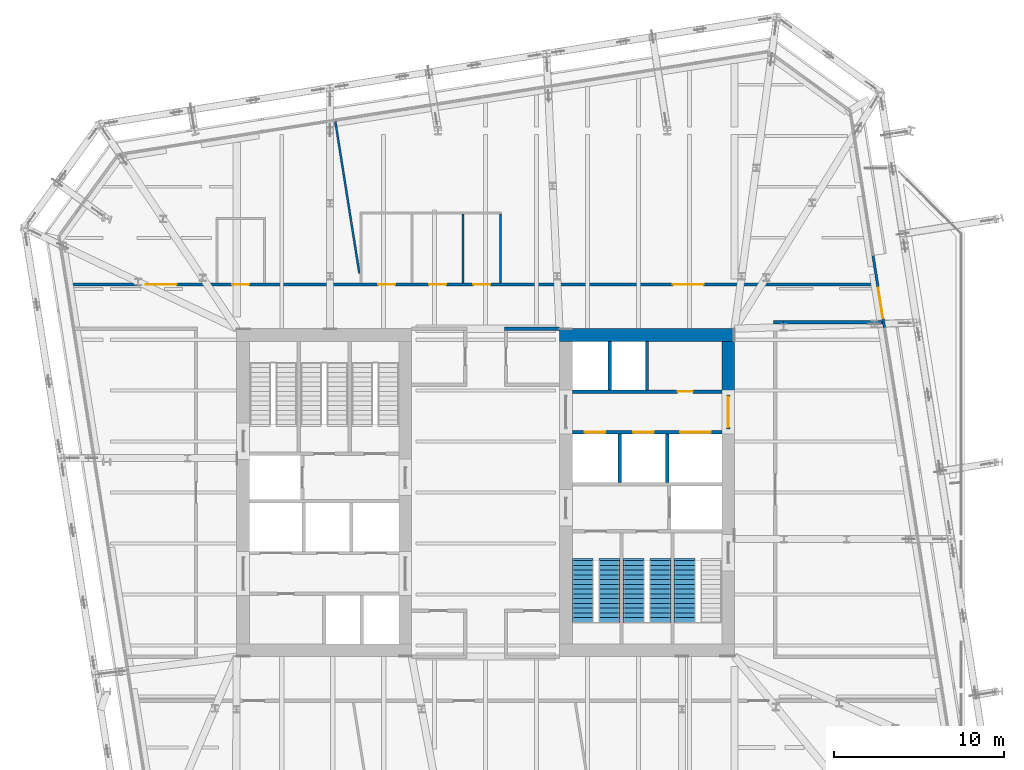
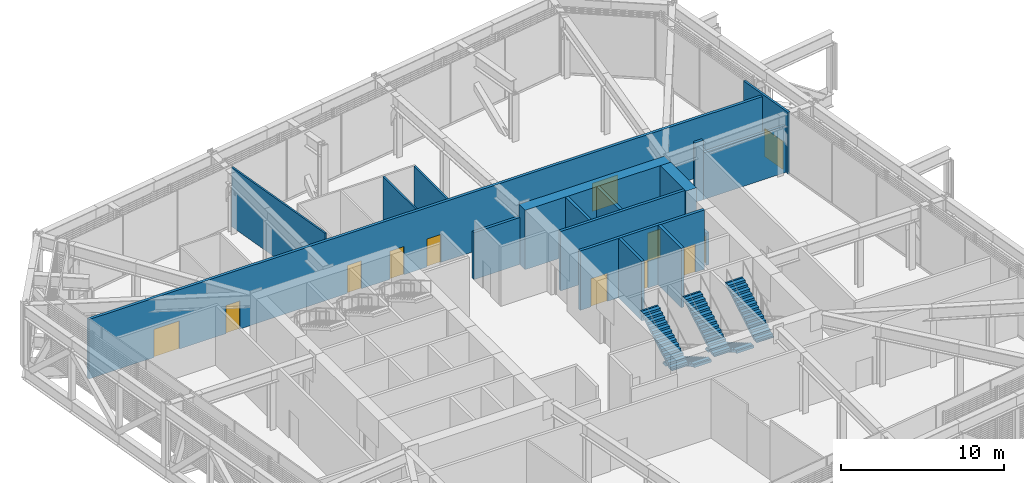
# One storey, part 21 of 32: 17 walls, 12 doors, 5 stair flights, 12 openings, 3 elements without a shape of their own.
"""IFC4 building model written with IfcOpenShell, lengths in metres."""

from ifc_helpers import new_model, si_unit, direction, frame, frame_2d, origin, place, context, subcontext, project, spatial, polyline, rectangle, outline, extrude, material, layer, layer_set, type_object, element, fill, aggregate, save


model = new_model("IFC4")

# Units and contexts
model_context = context("Model", 3, precision=1e-05, world=origin(), true_north=direction((0.0, 1.0)))
body_context = subcontext(model_context, "Body", "Model", "MODEL_VIEW")
ifc_project = project(units=[si_unit("LENGTHUNIT", "METRE"), si_unit("AREAUNIT", "SQUARE_METRE"), si_unit("VOLUMEUNIT", "CUBIC_METRE"), si_unit("PLANEANGLEUNIT", "RADIAN"), si_unit("MASSUNIT", "GRAM", prefix="KILO")], contexts=[model_context])

# Site, building, storey
site_placement = place(None, origin())
site = spatial("IfcSite", under=ifc_project, at=site_placement, CompositionType="ELEMENT")
building_placement = place(site_placement, origin())
building = spatial("IfcBuilding", under=site, at=building_placement, Name="Millrace Tower", CompositionType="ELEMENT")
storey_placement = place(building_placement, frame((0.0, 0.0, 124.89990234375)))
storey = spatial("IfcBuildingStorey", under=building, at=storey_placement, Name="L27", CompositionType="ELEMENT", Elevation=124.89990234375)

# Walls
ifc_material_1 = material(Name="Concrete C70", Category="concrete")
ifc_layer_1 = layer(ifc_material_1, 0.75)
ifc_layer_set_1 = layer_set([ifc_layer_1], Name="Concrete C70")
wall_type_1 = type_object("IfcWallType", Name="Core wall 750 Concrete C70", PredefinedType="SHEAR", material=ifc_layer_set_1)
wall_1_placement = place(storey_placement, frame((14.64990234375, 9.27490234375, 0.0), z_axis=(0.0, 0.0, 1.0), x_axis=(-1.0, 0.0, 0.0)))
element("IfcWall", 1, at=wall_1_placement, inside=storey, type_object=wall_type_1, Name="Core wall E L27", PredefinedType="SHEAR", context=body_context, shape_type="SweptSolid", body=[
    extrude(rectangle(XDim=10.2998046875, YDim=0.75, at=frame_2d((5.14990234375, 0.0))), origin(), (0.0, 0.0, 1.0), 4.440185546875),
])
wall_2_placement = place(storey_placement, frame((14.27490234375, 8.89990234375, 0.0), z_axis=(0.0, 0.0, 1.0), x_axis=(0.0, -1.0, 0.0)))
element("IfcWall", 2, at=wall_2_placement, inside=storey, type_object=wall_type_1, Name="Core wall E L27", PredefinedType="SHEAR", context=body_context, shape_type="SweptSolid", body=[
    extrude(rectangle(XDim=3.14990234375, YDim=0.75, at=frame_2d((1.574951171875, 0.0))), origin(), (0.0, 0.0, 1.0), 4.440185546875),
])
ifc_material_2 = material(Name="Masonry partition, fire-rated", Category="masonry")
ifc_layer_2 = layer(ifc_material_2, 0.199951171875)
ifc_layer_set_2 = layer_set([ifc_layer_2], Name="Masonry partition, fire-rated")
wall_type_2 = type_object("IfcWallType", Name="Corridor wall 200", PredefinedType="PARTITIONING", material=ifc_layer_set_2)
wall_3_placement = place(storey_placement, frame((1.10009765625, 9.64990234375, 0.0), z_axis=(0.0, 0.0, 1.0), x_axis=(1.0, 0.0, 0.0)))
element("IfcWall", 3, at=wall_3_placement, inside=storey, type_object=wall_type_2, Name="Corridor wall L27", PredefinedType="PARTITIONING", context=body_context, shape_type="SweptSolid", body=[
    extrude(rectangle(XDim=3.25, YDim=0.199951171875, at=frame_2d((1.625, 0.0))), origin(), (0.0, 0.0, 1.0), 3.512939453125),
])
wall_4_placement = place(storey_placement, frame((16.949951171875, 10.02001953125, 0.0), z_axis=(0.0, 0.0, 1.0), x_axis=(1.0, 0.0, 0.0)))
element("IfcWall", 4, at=wall_4_placement, inside=storey, type_object=wall_type_2, Name="Corridor wall L27", PredefinedType="PARTITIONING", context=body_context, shape_type="SweptSolid", body=[
    extrude(rectangle(XDim=0.591552734375, YDim=0.199951171875, at=frame_2d((0.2958984375, 0.0))), origin(), (0.0, 0.0, 1.0), 4.440185546875),
])
wall_5_placement = place(storey_placement, frame((17.54150390625, 10.02001953125, 0.0), z_axis=(0.0, 0.0, 1.0), x_axis=(1.0, 0.0, 0.0)))
element("IfcWall", 5, at=wall_5_placement, inside=storey, type_object=wall_type_2, Name="Corridor wall L27", PredefinedType="PARTITIONING", context=body_context, shape_type="SweptSolid", body=[
    extrude(rectangle(XDim=5.83935546875, YDim=0.199951171875, at=frame_2d((2.919677734375, 0.0))), origin(), (0.0, 0.0, 1.0), 3.482421875),
])

# Wall, openings, doors
wall_6_placement = place(storey_placement, frame((-24.618896484375, 12.25, 0.0), z_axis=(0.0, 0.0, 1.0), x_axis=(1.0, 0.0, 0.0)))
wall_6 = element("IfcWall", 6, at=wall_6_placement, inside=storey, type_object=wall_type_2, Name="Corridor wall L27", PredefinedType="PARTITIONING", context=body_context, shape_type="SweptSolid", body=[
    extrude(rectangle(XDim=47.646484375, YDim=0.199951171875, at=frame_2d((23.8232421875, 0.0))), origin(), (0.0, 0.0, 1.0), 4.440185546875),
])
opening_1_placement = place(wall_6_placement, frame((4.6259765625, 0.0, 0.0)))
opening_1 = element("IfcOpeningElement", 7, at=opening_1_placement, cuts=wall_6, Name="Opening 27-P005", PredefinedType="OPENING", context=body_context, shape_type="SweptSolid", body=[
    extrude(rectangle(XDim=1.800048828125, YDim=2.10009765625, at=frame_2d((0.89990234375, 1.050048828125))), frame((0.0, 0.10986328125, 0.0), z_axis=(0.0, -1.0, 0.0), x_axis=(1.0, 0.0, 0.0)), (0.0, 0.0, 1.0), 0.219970703125),
])
opening_2_placement = place(wall_6_placement, frame((9.700927734375, 0.0, 0.0)))
opening_2 = element("IfcOpeningElement", 8, at=opening_2_placement, cuts=wall_6, Name="Opening 27-P006", PredefinedType="OPENING", context=body_context, shape_type="SweptSolid", body=[
    extrude(rectangle(XDim=1.0, YDim=2.10009765625, at=frame_2d((0.5, 1.050048828125))), frame((0.0, 0.10986328125, 0.0), z_axis=(0.0, -1.0, 0.0), x_axis=(1.0, 0.0, 0.0)), (0.0, 0.0, 1.0), 0.219970703125),
])
opening_3_placement = place(wall_6_placement, frame((35.64453125, 0.0, 0.0)))
opening_3 = element("IfcOpeningElement", 9, at=opening_3_placement, cuts=wall_6, Name="Opening 27-P007", PredefinedType="OPENING", context=body_context, shape_type="SweptSolid", body=[
    extrude(rectangle(XDim=1.800048828125, YDim=2.10009765625, at=frame_2d((0.89990234375, 1.050048828125))), frame((0.0, 0.10986328125, 0.0), z_axis=(0.0, -1.0, 0.0), x_axis=(1.0, 0.0, 0.0)), (0.0, 0.0, 1.0), 0.219970703125),
])
opening_4_placement = place(wall_6_placement, frame((18.29296875, 0.0, 0.0)))
opening_4 = element("IfcOpeningElement", 10, at=opening_4_placement, cuts=wall_6, Name="Opening 27-P013", PredefinedType="OPENING", context=body_context, shape_type="SweptSolid", body=[
    extrude(rectangle(XDim=1.0, YDim=2.10009765625, at=frame_2d((0.5, 1.050048828125))), frame((0.0, 0.10986328125, 0.0), z_axis=(0.0, -1.0, 0.0), x_axis=(1.0, 0.0, 0.0)), (0.0, 0.0, 1.0), 0.219970703125),
])
opening_5_placement = place(wall_6_placement, frame((21.29296875, 0.0, 0.0)))
opening_5 = element("IfcOpeningElement", 11, at=opening_5_placement, cuts=wall_6, Name="Opening 27-P014", PredefinedType="OPENING", context=body_context, shape_type="SweptSolid", body=[
    extrude(rectangle(XDim=1.0, YDim=2.10009765625, at=frame_2d((0.5, 1.050048828125))), frame((0.0, 0.10986328125, 0.0), z_axis=(0.0, -1.0, 0.0), x_axis=(1.0, 0.0, 0.0)), (0.0, 0.0, 1.0), 0.219970703125),
])
opening_6_placement = place(wall_6_placement, frame((23.89306640625, 0.0, 0.0)))
opening_6 = element("IfcOpeningElement", 12, at=opening_6_placement, cuts=wall_6, Name="Opening 27-P015", PredefinedType="OPENING", context=body_context, shape_type="SweptSolid", body=[
    extrude(rectangle(XDim=1.0, YDim=2.10009765625, at=frame_2d((0.5, 1.050048828125))), frame((0.0, 0.10986328125, 0.0), z_axis=(0.0, -1.0, 0.0), x_axis=(1.0, 0.0, 0.0)), (0.0, 0.0, 1.0), 0.219970703125),
])
ifc_material_3 = material(Name="Steel door set, fire-rated", Category="steel")
door_type_1 = type_object("IfcDoorType", Name="Corridor door 1000 x 2100", OperationType="SINGLE_SWING_LEFT", PredefinedType="DOOR", material=ifc_material_3)
door_1_placement = place(opening_2_placement, origin())
door_1 = element("IfcDoor", 13, at=door_1_placement, inside=storey, type_object=door_type_1, Name="Door 27-P006", OperationType="SINGLE_SWING_LEFT", OverallHeight=2.10009765625, OverallWidth=1.0, PredefinedType="DOOR", context=body_context, shape_type="SweptSolid", body=[
    extrude(rectangle(XDim=1.0, YDim=2.10009765625, at=frame_2d((0.5, 1.050048828125))), frame((0.0, 0.02490234375, 0.0), z_axis=(0.0, -1.0, 0.0), x_axis=(1.0, 0.0, 0.0)), (0.0, 0.0, 1.0), 0.050048828125),
])
fill(opening_2, door_1)
door_2_placement = place(opening_4_placement, origin())
door_2 = element("IfcDoor", 14, at=door_2_placement, inside=storey, type_object=door_type_1, Name="Door 27-P013", OperationType="SINGLE_SWING_LEFT", OverallHeight=2.10009765625, OverallWidth=1.0, PredefinedType="DOOR", context=body_context, shape_type="SweptSolid", body=[
    extrude(rectangle(XDim=1.0, YDim=2.10009765625, at=frame_2d((0.5, 1.050048828125))), frame((0.0, 0.02490234375, 0.0), z_axis=(0.0, -1.0, 0.0), x_axis=(1.0, 0.0, 0.0)), (0.0, 0.0, 1.0), 0.050048828125),
])
fill(opening_4, door_2)
door_3_placement = place(opening_5_placement, origin())
door_3 = element("IfcDoor", 15, at=door_3_placement, inside=storey, type_object=door_type_1, Name="Door 27-P014", OperationType="SINGLE_SWING_LEFT", OverallHeight=2.10009765625, OverallWidth=1.0, PredefinedType="DOOR", context=body_context, shape_type="SweptSolid", body=[
    extrude(rectangle(XDim=1.0, YDim=2.10009765625, at=frame_2d((0.5, 1.050048828125))), frame((0.0, 0.02490234375, 0.0), z_axis=(0.0, -1.0, 0.0), x_axis=(1.0, 0.0, 0.0)), (0.0, 0.0, 1.0), 0.050048828125),
])
fill(opening_5, door_3)
door_4_placement = place(opening_6_placement, origin())
door_4 = element("IfcDoor", 16, at=door_4_placement, inside=storey, type_object=door_type_1, Name="Door 27-P015", OperationType="SINGLE_SWING_RIGHT", OverallHeight=2.10009765625, OverallWidth=1.0, PredefinedType="DOOR", context=body_context, shape_type="SweptSolid", body=[
    extrude(rectangle(XDim=1.0, YDim=2.10009765625, at=frame_2d((0.5, 1.050048828125))), frame((0.0, 0.02490234375, 0.0), z_axis=(0.0, -1.0, 0.0), x_axis=(1.0, 0.0, 0.0)), (0.0, 0.0, 1.0), 0.050048828125),
])
fill(opening_6, door_4)
ifc_material_4 = material(Name="Steel door set, fire-rated", Category="steel")
door_type_2 = type_object("IfcDoorType", Name="Corridor door 1800 x 2100", OperationType="DOUBLE_DOOR_SINGLE_SWING", PredefinedType="DOOR", material=ifc_material_4)
door_5_placement = place(opening_1_placement, origin())
door_5 = element("IfcDoor", 17, at=door_5_placement, inside=storey, type_object=door_type_2, Name="Door 27-P005", OperationType="DOUBLE_DOOR_SINGLE_SWING", OverallHeight=2.10009765625, OverallWidth=1.800048828125, PredefinedType="DOOR", context=body_context, shape_type="SweptSolid", body=[
    extrude(rectangle(XDim=1.800048828125, YDim=2.10009765625, at=frame_2d((0.89990234375, 1.050048828125))), frame((0.0, 0.02490234375, 0.0), z_axis=(0.0, -1.0, 0.0), x_axis=(1.0, 0.0, 0.0)), (0.0, 0.0, 1.0), 0.050048828125),
])
fill(opening_1, door_5)
door_6_placement = place(opening_3_placement, frame((1.800048828125, 0.0, 0.0), z_axis=(0.0, 0.0, 1.0), x_axis=(-1.0, 0.0, 0.0)))
door_6 = element("IfcDoor", 18, at=door_6_placement, inside=storey, type_object=door_type_2, Name="Door 27-P007", OperationType="DOUBLE_DOOR_SINGLE_SWING", OverallHeight=2.10009765625, OverallWidth=1.800048828125, PredefinedType="DOOR", context=body_context, shape_type="SweptSolid", body=[
    extrude(rectangle(XDim=1.800048828125, YDim=2.10009765625, at=frame_2d((0.89990234375, 1.050048828125))), frame((0.0, 0.02490234375, 0.0), z_axis=(0.0, -1.0, 0.0), x_axis=(1.0, 0.0, 0.0)), (0.0, 0.0, 1.0), 0.050048828125),
])
fill(opening_3, door_6)

# Wall, opening, door
ifc_material_5 = material(Name="Aluminium framed glazing", Category="aluminium")
ifc_layer_3 = layer(ifc_material_5, 0.14990234375)
ifc_layer_set_3 = layer_set([ifc_layer_3], Name="Aluminium framed glazing")
wall_type_3 = type_object("IfcWallType", Name="Entrance infill wall 150 thick", PredefinedType="STANDARD", material=ifc_layer_set_3)
wall_7_placement = place(storey_placement, frame((23.475830078125, 9.70849609375, 0.0), z_axis=(0.0, 0.0, 1.0), x_axis=(-0.156439330274, 0.987687570006, 0.0)))
wall_7 = element("IfcWall", 19, at=wall_7_placement, inside=storey, type_object=wall_type_3, Name="Entrance infill wall C-F04 7", PredefinedType="STANDARD", context=body_context, shape_type="SweptSolid", body=[
    extrude(rectangle(XDim=4.364990234375, YDim=0.14990234375, at=frame_2d((2.1826171875, 0.0))), origin(), (0.0, 0.0, 1.0), 4.60009765625),
])
opening_7_placement = place(wall_7_placement, frame((0.570068359375, 0.0, 0.0)))
opening_7 = element("IfcOpeningElement", 20, at=opening_7_placement, cuts=wall_7, Name="Opening 27-X003", PredefinedType="OPENING", context=body_context, shape_type="SweptSolid", body=[
    extrude(rectangle(XDim=1.800048828125, YDim=2.10009765625, at=frame_2d((0.89990234375, 1.050048828125))), frame((0.0, 0.0849609375, 0.0), z_axis=(0.0, -1.0, 0.0), x_axis=(1.0, 0.0, 0.0)), (0.0, 0.0, 1.0), 0.169921875),
])
ifc_material_6 = material(Name="Aluminium and glass", Category="aluminium")
door_type_3 = type_object("IfcDoorType", Name="Terrace double door", OperationType="DOUBLE_DOOR_DOUBLE_SWING", PredefinedType="DOOR", material=ifc_material_6)
door_7_placement = place(opening_7_placement, frame((1.800048828125, 0.0, 0.0), z_axis=(0.0, 0.0, 1.0), x_axis=(-1.0, 0.0, 0.0)))
door_7 = element("IfcDoor", 21, at=door_7_placement, inside=storey, type_object=door_type_3, Name="27-X003", OperationType="DOUBLE_DOOR_DOUBLE_SWING", OverallHeight=2.10009765625, OverallWidth=1.800048828125, PredefinedType="DOOR", context=body_context, shape_type="SweptSolid", body=[
    extrude(rectangle(XDim=1.800048828125, YDim=2.10009765625, at=frame_2d((0.89990234375, 1.050048828125))), frame((0.0, 0.02490234375, 0.0), z_axis=(0.0, -1.0, 0.0), x_axis=(1.0, 0.0, 0.0)), (0.0, 0.0, 1.0), 0.050048828125),
])
fill(opening_7, door_7)

ifc_material_7 = material(Name="Masonry partition, fire-rated", Category="masonry")
ifc_layer_4 = layer(ifc_material_7, 0.199951171875)
ifc_layer_set_4 = layer_set([ifc_layer_4], Name="Masonry partition, fire-rated")
wall_type_4 = type_object("IfcWallType", Name="Lift shaft wall 200", PredefinedType="PARTITIONING", material=ifc_layer_set_4)
wall_8_placement = place(storey_placement, frame((13.89990234375, 5.949951171875, 0.0), z_axis=(0.0, 0.0, 1.0), x_axis=(-1.0, 0.0, 0.0)))
wall_8 = element("IfcWall", 22, at=wall_8_placement, inside=storey, type_object=wall_type_4, Name="Lift shaft wall E L27", PredefinedType="PARTITIONING", context=body_context, shape_type="SweptSolid", body=[
    extrude(rectangle(XDim=8.7998046875, YDim=0.199951171875, at=frame_2d((4.39990234375, 0.0))), origin(), (0.0, 0.0, 1.0), 4.440185546875),
])
opening_8_placement = place(wall_8_placement, frame((1.699951171875, 0.0, 0.0)))
opening_8 = element("IfcOpeningElement", 23, at=opening_8_placement, cuts=wall_8, Name="Opening 27-C012", PredefinedType="OPENING", context=body_context, shape_type="SweptSolid", body=[
    extrude(rectangle(XDim=0.89990234375, YDim=2.10009765625, at=frame_2d((0.449951171875, 1.050048828125))), frame((0.0, 0.10986328125, 0.0), z_axis=(0.0, -1.0, 0.0), x_axis=(1.0, 0.0, 0.0)), (0.0, 0.0, 1.0), 0.219970703125),
])
ifc_material_8 = material(Name="Steel door, fire-rated", Category="steel")
door_type_4 = type_object("IfcDoorType", Name="Service room door 900 x 2100", OperationType="SINGLE_SWING_LEFT", PredefinedType="DOOR", material=ifc_material_8)
door_8_placement = place(opening_8_placement, frame((0.89990234375, 0.0, 0.0), z_axis=(0.0, 0.0, 1.0), x_axis=(-1.0, 0.0, 0.0)))
door_8 = element("IfcDoor", 24, at=door_8_placement, inside=storey, type_object=door_type_4, Name="Service room door 27-C012", OperationType="SINGLE_SWING_RIGHT", OverallHeight=2.10009765625, OverallWidth=0.89990234375, PredefinedType="DOOR", context=body_context, shape_type="SweptSolid", body=[
    extrude(rectangle(XDim=0.89990234375, YDim=2.10009765625, at=frame_2d((0.449951171875, 1.050048828125))), frame((0.0, 0.02490234375, 0.0), z_axis=(0.0, -1.0, 0.0), x_axis=(1.0, 0.0, 0.0)), (0.0, 0.0, 1.0), 0.050048828125),
])
fill(opening_8, door_8)

# Wall, openings, doors
wall_9_placement = place(storey_placement, frame((13.89990234375, 3.550048828125, 0.0), z_axis=(0.0, 0.0, 1.0), x_axis=(-1.0, 0.0, 0.0)))
wall_9 = element("IfcWall", 25, at=wall_9_placement, inside=storey, type_object=wall_type_4, Name="Lift shaft wall E L27", PredefinedType="PARTITIONING", context=body_context, shape_type="SweptSolid", body=[
    extrude(rectangle(XDim=8.7998046875, YDim=0.199951171875, at=frame_2d((4.39990234375, 0.0))), origin(), (0.0, 0.0, 1.0), 4.440185546875),
])
opening_9_placement = place(wall_9_placement, frame((0.64990234375, 0.0, 0.0)))
opening_9 = element("IfcOpeningElement", 26, at=opening_9_placement, cuts=wall_9, Name="Opening 27-LD13", PredefinedType="OPENING", context=body_context, shape_type="SweptSolid", body=[
    extrude(rectangle(XDim=1.800048828125, YDim=2.10009765625, at=frame_2d((0.89990234375, 1.050048828125))), frame((0.0, 0.10986328125, 0.0), z_axis=(0.0, -1.0, 0.0), x_axis=(1.0, 0.0, 0.0)), (0.0, 0.0, 1.0), 0.219970703125),
])
opening_10_placement = place(wall_9_placement, frame((4.0, 0.0, 0.0)))
opening_10 = element("IfcOpeningElement", 27, at=opening_10_placement, cuts=wall_9, Name="Opening 27-LD14", PredefinedType="OPENING", context=body_context, shape_type="SweptSolid", body=[
    extrude(rectangle(XDim=1.199951171875, YDim=2.10009765625, at=frame_2d((0.60009765625, 1.050048828125))), frame((0.0, 0.10986328125, 0.0), z_axis=(0.0, -1.0, 0.0), x_axis=(1.0, 0.0, 0.0)), (0.0, 0.0, 1.0), 0.219970703125),
])
opening_11_placement = place(wall_9_placement, frame((6.85009765625, 0.0, 0.0)))
opening_11 = element("IfcOpeningElement", 28, at=opening_11_placement, cuts=wall_9, Name="Opening 27-LD15", PredefinedType="OPENING", context=body_context, shape_type="SweptSolid", body=[
    extrude(rectangle(XDim=1.199951171875, YDim=2.10009765625, at=frame_2d((0.60009765625, 1.050048828125))), frame((0.0, 0.10986328125, 0.0), z_axis=(0.0, -1.0, 0.0), x_axis=(1.0, 0.0, 0.0)), (0.0, 0.0, 1.0), 0.219970703125),
])
ifc_material_9 = material(Name="Stainless steel, fire-rated", Category="steel")
door_type_5 = type_object("IfcDoorType", Name="Lift landing door 1200 x 2100", OperationType="DOUBLE_DOOR_SLIDING", PredefinedType="DOOR", material=ifc_material_9)
door_9_placement = place(opening_10_placement, origin())
door_9 = element("IfcDoor", 29, at=door_9_placement, inside=storey, type_object=door_type_5, Name="Lift landing door LF14 L27", OperationType="DOUBLE_DOOR_SLIDING", OverallHeight=2.10009765625, OverallWidth=1.199951171875, PredefinedType="DOOR", context=body_context, shape_type="SweptSolid", body=[
    extrude(rectangle(XDim=1.199951171875, YDim=2.10009765625, at=frame_2d((0.60009765625, 1.050048828125))), frame((0.0, 0.02490234375, 0.0), z_axis=(0.0, -1.0, 0.0), x_axis=(1.0, 0.0, 0.0)), (0.0, 0.0, 1.0), 0.050048828125),
])
fill(opening_10, door_9)
door_10_placement = place(opening_11_placement, origin())
door_10 = element("IfcDoor", 30, at=door_10_placement, inside=storey, type_object=door_type_5, Name="Lift landing door LF15 L27", OperationType="DOUBLE_DOOR_SLIDING", OverallHeight=2.10009765625, OverallWidth=1.199951171875, PredefinedType="DOOR", context=body_context, shape_type="SweptSolid", body=[
    extrude(rectangle(XDim=1.199951171875, YDim=2.10009765625, at=frame_2d((0.60009765625, 1.050048828125))), frame((0.0, 0.02490234375, 0.0), z_axis=(0.0, -1.0, 0.0), x_axis=(1.0, 0.0, 0.0)), (0.0, 0.0, 1.0), 0.050048828125),
])
fill(opening_11, door_10)
ifc_material_10 = material(Name="Stainless steel, fire-rated", Category="steel")
door_type_6 = type_object("IfcDoorType", Name="Lift landing door 1800 x 2100", OperationType="DOUBLE_DOOR_SLIDING", PredefinedType="DOOR", material=ifc_material_10)
door_11_placement = place(opening_9_placement, origin())
door_11 = element("IfcDoor", 31, at=door_11_placement, inside=storey, type_object=door_type_6, Name="Lift landing door LF13 L27", OperationType="DOUBLE_DOOR_SLIDING", OverallHeight=2.10009765625, OverallWidth=1.800048828125, PredefinedType="DOOR", context=body_context, shape_type="SweptSolid", body=[
    extrude(rectangle(XDim=1.800048828125, YDim=2.10009765625, at=frame_2d((0.89990234375, 1.050048828125))), frame((0.0, 0.02490234375, 0.0), z_axis=(0.0, -1.0, 0.0), x_axis=(1.0, 0.0, 0.0)), (0.0, 0.0, 1.0), 0.050048828125),
])
fill(opening_9, door_11)

# Walls
for number, where, z_axis, x_axis, name in (
    (32, (9.5, 8.89990234375, 0.0), (0.0, 0.0, 1.0), (0.0, -1.0, 0.0), "Lift shaft wall E L27"),
    (33, (7.300048828125, 8.89990234375, 0.0), (0.0, 0.0, 1.0), (0.0, -1.0, 0.0), "Lift shaft wall E L27"),
    (34, (10.699951171875, 3.449951171875, 0.0), (0.0, 0.0, 1.0), (0.0, -1.0, 0.0), "Lift shaft wall E L27"),
    (35, (7.89990234375, 3.449951171875, 0.0), (0.0, 0.0, 1.0), (0.0, -1.0, 0.0), "Lift shaft wall E L27"),
):
    element("IfcWall", number, at=place(storey_placement, frame(where, z_axis=z_axis, x_axis=x_axis)), inside=storey, type_object=wall_type_4, Name=name, PredefinedType="PARTITIONING", context=body_context, shape_type="SweptSolid", body=[
        extrude(rectangle(XDim=2.849853515625, YDim=0.199951171875, at=frame_2d((1.4248046875, 0.0))), origin(), (0.0, 0.0, 1.0), 4.440185546875),
    ])

# Wall, opening, door
ifc_material_11 = material(Name="Masonry partition, fire-rated", Category="masonry")
ifc_layer_5 = layer(ifc_material_11, 0.199951171875)
ifc_layer_set_5 = layer_set([ifc_layer_5], Name="Masonry partition, fire-rated")
wall_type_5 = type_object("IfcWallType", Name="Lobby wall 200", PredefinedType="PARTITIONING", material=ifc_layer_set_5)
wall_10_placement = place(storey_placement, frame((14.27490234375, 5.75, 0.0), z_axis=(0.0, 0.0, 1.0), x_axis=(0.0, -1.0, 0.0)))
wall_10 = element("IfcWall", 36, at=wall_10_placement, inside=storey, type_object=wall_type_5, Name="Lobby wall E L27", PredefinedType="PARTITIONING", context=body_context, shape_type="SweptSolid", body=[
    extrude(rectangle(XDim=2.0, YDim=0.199951171875, at=frame_2d((1.0, 0.0))), origin(), (0.0, 0.0, 1.0), 2.400146484375),
])
opening_12_placement = place(wall_10_placement, frame((0.10009765625, 0.0, 0.0)))
opening_12 = element("IfcOpeningElement", 37, at=opening_12_placement, cuts=wall_10, Name="Opening 27-C008", PredefinedType="OPENING", context=body_context, shape_type="SweptSolid", body=[
    extrude(rectangle(XDim=1.800048828125, YDim=2.10009765625, at=frame_2d((0.89990234375, 1.050048828125))), frame((0.0, 0.10986328125, 0.0), z_axis=(0.0, -1.0, 0.0), x_axis=(1.0, 0.0, 0.0)), (0.0, 0.0, 1.0), 0.219970703125),
])
ifc_material_12 = material(Name="Steel door, fire-rated", Category="steel")
door_type_7 = type_object("IfcDoorType", Name="Lobby door 1800 x 2100", OperationType="DOUBLE_DOOR_SINGLE_SWING", PredefinedType="DOOR", material=ifc_material_12)
door_12_placement = place(opening_12_placement, origin())
door_12 = element("IfcDoor", 38, at=door_12_placement, inside=storey, type_object=door_type_7, Name="Lobby door 27-C008", OperationType="DOUBLE_DOOR_SINGLE_SWING", OverallHeight=2.10009765625, OverallWidth=1.800048828125, PredefinedType="DOOR", context=body_context, shape_type="SweptSolid", body=[
    extrude(rectangle(XDim=1.800048828125, YDim=2.10009765625, at=frame_2d((0.89990234375, 1.050048828125))), frame((0.0, 0.02490234375, 0.0), z_axis=(0.0, -1.0, 0.0), x_axis=(1.0, 0.0, 0.0)), (0.0, 0.0, 1.0), 0.050048828125),
])
fill(opening_12, door_12)

# Walls
ifc_material_13 = material(Name="Gypsum board partition")
ifc_layer_6 = layer(ifc_material_13, 0.1201171875)
ifc_layer_set_6 = layer_set([ifc_layer_6], Name="Gypsum board partition")
wall_type_6 = type_object("IfcWallType", Name="Partition wall 120", PredefinedType="PARTITIONING", material=ifc_layer_set_6)
wall_11_placement = place(storey_placement, frame((-8.851806640625, 21.88134765625, 0.0), z_axis=(0.0, 0.0, 1.0), x_axis=(0.156480034116, -0.987681122085, 0.0)))
element("IfcWall", 39, at=wall_11_placement, inside=storey, type_object=wall_type_6, Name="Partition wall L27", PredefinedType="PARTITIONING", context=body_context, shape_type="SweptSolid", body=[
    extrude(rectangle(XDim=9.0849609375, YDim=0.1201171875, at=frame_2d((4.54248046875, 0.0))), origin(), (0.0, 0.0, 1.0), 4.440185546875),
])
for number, where, z_axis, x_axis, name in (
    (40, (0.8740234375, 12.35009765625, 0.0), (0.0, 0.0, 1.0), (0.0, 1.0, 0.0), "Partition wall L27"),
    (41, (-1.325927734375, 12.35009765625, 0.0), (0.0, 0.0, 1.0), (0.0, 1.0, 0.0), "Partition wall L27"),
):
    element("IfcWall", number, at=place(storey_placement, frame(where, z_axis=z_axis, x_axis=x_axis)), inside=storey, type_object=wall_type_6, Name=name, PredefinedType="PARTITIONING", context=body_context, shape_type="SweptSolid", body=[
        extrude(rectangle(XDim=4.039794921875, YDim=0.1201171875, at=frame_2d((2.02001953125, 0.0))), origin(), (0.0, 0.0, 1.0), 4.440185546875),
    ])

# Stair, stair flight
ifc_material_14 = material(Name="Concrete C35", Category="concrete")
stair_type = type_object("IfcStairType", Name="Exit stair", PredefinedType="HALF_TURN_STAIR", material=ifc_material_14)
placement = place(storey_placement, origin())
stair_1 = element("IfcStair", 42, at=placement, inside=storey, type_object=stair_type, Name="Stair 1 E L27", PredefinedType="HALF_TURN_STAIR")
ifc_material_15 = material(Name="Concrete C35", Category="concrete")
stair_flight_type = type_object("IfcStairFlightType", Name="Exit stair flight", PredefinedType="STRAIGHT", material=ifc_material_15)
stair_flight_1_placement = place(storey_placement, frame((11.7099609375, -7.639892578125, 2.300048828125), z_axis=(0.0, 0.0, 1.0), x_axis=(0.0, 1.0, 0.0)))
stair_flight_1 = element("IfcStairFlight", 43, at=stair_flight_1_placement, type_object=stair_flight_type, Name="ST12 flight 2", NumberOfRisers=14, NumberOfTreads=13, PredefinedType="STRAIGHT", RiserHeight=0.164285714, TreadLength=0.28, context=body_context, shape_type="SweptSolid", body=[
    extrude(outline(polyline([(-0.1201171875, -0.0400390625), (-0.1201171875, 0.0), (0.0, 0.0), (0.0, 0.164306640625), (0.280029296875, 0.164306640625), (0.280029296875, 0.32861328125), (0.56005859375, 0.32861328125), (0.56005859375, 0.492919921875), (0.840087890625, 0.492919921875), (0.840087890625, 0.6572265625), (1.1201171875, 0.6572265625), (1.1201171875, 0.821533203125), (1.39990234375, 0.821533203125), (1.39990234375, 0.985595703125), (1.679931640625, 0.985595703125), (1.679931640625, 1.14990234375), (1.9599609375, 1.14990234375), (1.9599609375, 1.314208984375), (2.239990234375, 1.314208984375), (2.239990234375, 1.478515625), (2.52001953125, 1.478515625), (2.52001953125, 1.642822265625), (2.800048828125, 1.642822265625), (2.800048828125, 1.80712890625), (3.080078125, 1.80712890625), (3.080078125, 1.971435546875), (3.360107421875, 1.971435546875), (3.360107421875, 2.1357421875), (3.639892578125, 2.1357421875), (3.639892578125, 2.15576171875), (3.760009765625, 2.15576171875), (3.760009765625, 1.9619140625), (3.639892578125, 1.9619140625), (0.296142578125, 0.0), (0.296142578125, -0.0400390625), (-0.1201171875, -0.0400390625)])), frame((0.0, 0.60986328125, 0.0), z_axis=(0.0, -1.0, 0.0), x_axis=(1.0, 0.0, 0.0)), (0.0, 0.0, 1.0), 1.219970703125),
])
aggregate(stair_1, [stair_flight_1])

# Stair, stair flights
stair_2 = element("IfcStair", 44, at=placement, inside=storey, type_object=stair_type, Name="Stair 2 E L27", PredefinedType="HALF_TURN_STAIR")
stair_flight_2_placement = place(storey_placement, frame((10.2900390625, -4.0, 0.0), z_axis=(0.0, 0.0, 1.0), x_axis=(0.0, -1.0, 0.0)))
stair_flight_2 = element("IfcStairFlight", 45, at=stair_flight_2_placement, type_object=stair_flight_type, Name="ST12 flight 1", NumberOfRisers=14, NumberOfTreads=13, PredefinedType="STRAIGHT", RiserHeight=0.164285714, TreadLength=0.28, context=body_context, shape_type="SweptSolid", body=[
    extrude(outline(polyline([(-0.1201171875, -0.0400390625), (-0.1201171875, 0.0), (0.0, 0.0), (0.0, 0.164306640625), (0.280029296875, 0.164306640625), (0.280029296875, 0.32861328125), (0.56005859375, 0.32861328125), (0.56005859375, 0.492919921875), (0.840087890625, 0.492919921875), (0.840087890625, 0.6572265625), (1.1201171875, 0.6572265625), (1.1201171875, 0.821533203125), (1.39990234375, 0.821533203125), (1.39990234375, 0.985595703125), (1.679931640625, 0.985595703125), (1.679931640625, 1.14990234375), (1.9599609375, 1.14990234375), (1.9599609375, 1.314208984375), (2.239990234375, 1.314208984375), (2.239990234375, 1.478515625), (2.52001953125, 1.478515625), (2.52001953125, 1.642822265625), (2.800048828125, 1.642822265625), (2.800048828125, 1.80712890625), (3.080078125, 1.80712890625), (3.080078125, 1.971435546875), (3.360107421875, 1.971435546875), (3.360107421875, 2.1357421875), (3.639892578125, 2.1357421875), (3.639892578125, 2.15576171875), (3.760009765625, 2.15576171875), (3.760009765625, 1.9619140625), (3.639892578125, 1.9619140625), (0.296142578125, 0.0), (0.296142578125, -0.0400390625), (-0.1201171875, -0.0400390625)])), frame((0.0, 0.60986328125, 0.0), z_axis=(0.0, -1.0, 0.0), x_axis=(1.0, 0.0, 0.0)), (0.0, 0.0, 1.0), 1.219970703125),
])
stair_flight_3_placement = place(storey_placement, frame((8.7099609375, -7.639892578125, 2.300048828125), z_axis=(0.0, 0.0, 1.0), x_axis=(0.0, 1.0, 0.0)))
stair_flight_3 = element("IfcStairFlight", 46, at=stair_flight_3_placement, type_object=stair_flight_type, Name="ST12 flight 2", NumberOfRisers=14, NumberOfTreads=13, PredefinedType="STRAIGHT", RiserHeight=0.164285714, TreadLength=0.28, context=body_context, shape_type="SweptSolid", body=[
    extrude(outline(polyline([(-0.1201171875, -0.0400390625), (-0.1201171875, 0.0), (0.0, 0.0), (0.0, 0.164306640625), (0.280029296875, 0.164306640625), (0.280029296875, 0.32861328125), (0.56005859375, 0.32861328125), (0.56005859375, 0.492919921875), (0.840087890625, 0.492919921875), (0.840087890625, 0.6572265625), (1.1201171875, 0.6572265625), (1.1201171875, 0.821533203125), (1.39990234375, 0.821533203125), (1.39990234375, 0.985595703125), (1.679931640625, 0.985595703125), (1.679931640625, 1.14990234375), (1.9599609375, 1.14990234375), (1.9599609375, 1.314208984375), (2.239990234375, 1.314208984375), (2.239990234375, 1.478515625), (2.52001953125, 1.478515625), (2.52001953125, 1.642822265625), (2.800048828125, 1.642822265625), (2.800048828125, 1.80712890625), (3.080078125, 1.80712890625), (3.080078125, 1.971435546875), (3.360107421875, 1.971435546875), (3.360107421875, 2.1357421875), (3.639892578125, 2.1357421875), (3.639892578125, 2.15576171875), (3.760009765625, 2.15576171875), (3.760009765625, 1.9619140625), (3.639892578125, 1.9619140625), (0.296142578125, 0.0), (0.296142578125, -0.0400390625), (-0.1201171875, -0.0400390625)])), frame((0.0, 0.60986328125, 0.0), z_axis=(0.0, -1.0, 0.0), x_axis=(1.0, 0.0, 0.0)), (0.0, 0.0, 1.0), 1.219970703125),
])
aggregate(stair_2, [stair_flight_2, stair_flight_3])

stair_3 = element("IfcStair", 47, at=placement, inside=storey, type_object=stair_type, Name="Stair 3 E L27", PredefinedType="HALF_TURN_STAIR")
stair_flight_4_placement = place(storey_placement, frame((7.2900390625, -4.0, 0.0), z_axis=(0.0, 0.0, 1.0), x_axis=(0.0, -1.0, 0.0)))
stair_flight_4 = element("IfcStairFlight", 48, at=stair_flight_4_placement, type_object=stair_flight_type, Name="ST12 flight 1", NumberOfRisers=14, NumberOfTreads=13, PredefinedType="STRAIGHT", RiserHeight=0.164285714, TreadLength=0.28, context=body_context, shape_type="SweptSolid", body=[
    extrude(outline(polyline([(-0.1201171875, -0.0400390625), (-0.1201171875, 0.0), (0.0, 0.0), (0.0, 0.164306640625), (0.280029296875, 0.164306640625), (0.280029296875, 0.32861328125), (0.56005859375, 0.32861328125), (0.56005859375, 0.492919921875), (0.840087890625, 0.492919921875), (0.840087890625, 0.6572265625), (1.1201171875, 0.6572265625), (1.1201171875, 0.821533203125), (1.39990234375, 0.821533203125), (1.39990234375, 0.985595703125), (1.679931640625, 0.985595703125), (1.679931640625, 1.14990234375), (1.9599609375, 1.14990234375), (1.9599609375, 1.314208984375), (2.239990234375, 1.314208984375), (2.239990234375, 1.478515625), (2.52001953125, 1.478515625), (2.52001953125, 1.642822265625), (2.800048828125, 1.642822265625), (2.800048828125, 1.80712890625), (3.080078125, 1.80712890625), (3.080078125, 1.971435546875), (3.360107421875, 1.971435546875), (3.360107421875, 2.1357421875), (3.639892578125, 2.1357421875), (3.639892578125, 2.15576171875), (3.760009765625, 2.15576171875), (3.760009765625, 1.9619140625), (3.639892578125, 1.9619140625), (0.296142578125, 0.0), (0.296142578125, -0.0400390625), (-0.1201171875, -0.0400390625)])), frame((0.0, 0.60986328125, 0.0), z_axis=(0.0, -1.0, 0.0), x_axis=(1.0, 0.0, 0.0)), (0.0, 0.0, 1.0), 1.219970703125),
])
stair_flight_5_placement = place(storey_placement, frame((5.7099609375, -7.639892578125, 2.300048828125), z_axis=(0.0, 0.0, 1.0), x_axis=(0.0, 1.0, 0.0)))
stair_flight_5 = element("IfcStairFlight", 49, at=stair_flight_5_placement, type_object=stair_flight_type, Name="ST12 flight 2", NumberOfRisers=14, NumberOfTreads=13, PredefinedType="STRAIGHT", RiserHeight=0.164285714, TreadLength=0.28, context=body_context, shape_type="SweptSolid", body=[
    extrude(outline(polyline([(-0.1201171875, -0.0400390625), (-0.1201171875, 0.0), (0.0, 0.0), (0.0, 0.164306640625), (0.280029296875, 0.164306640625), (0.280029296875, 0.32861328125), (0.56005859375, 0.32861328125), (0.56005859375, 0.492919921875), (0.840087890625, 0.492919921875), (0.840087890625, 0.6572265625), (1.1201171875, 0.6572265625), (1.1201171875, 0.821533203125), (1.39990234375, 0.821533203125), (1.39990234375, 0.985595703125), (1.679931640625, 0.985595703125), (1.679931640625, 1.14990234375), (1.9599609375, 1.14990234375), (1.9599609375, 1.314208984375), (2.239990234375, 1.314208984375), (2.239990234375, 1.478515625), (2.52001953125, 1.478515625), (2.52001953125, 1.642822265625), (2.800048828125, 1.642822265625), (2.800048828125, 1.80712890625), (3.080078125, 1.80712890625), (3.080078125, 1.971435546875), (3.360107421875, 1.971435546875), (3.360107421875, 2.1357421875), (3.639892578125, 2.1357421875), (3.639892578125, 2.15576171875), (3.760009765625, 2.15576171875), (3.760009765625, 1.9619140625), (3.639892578125, 1.9619140625), (0.296142578125, 0.0), (0.296142578125, -0.0400390625), (-0.1201171875, -0.0400390625)])), frame((0.0, 0.60986328125, 0.0), z_axis=(0.0, -1.0, 0.0), x_axis=(1.0, 0.0, 0.0)), (0.0, 0.0, 1.0), 1.219970703125),
])
aggregate(stair_3, [stair_flight_4, stair_flight_5])

save(model, "model.ifc")
